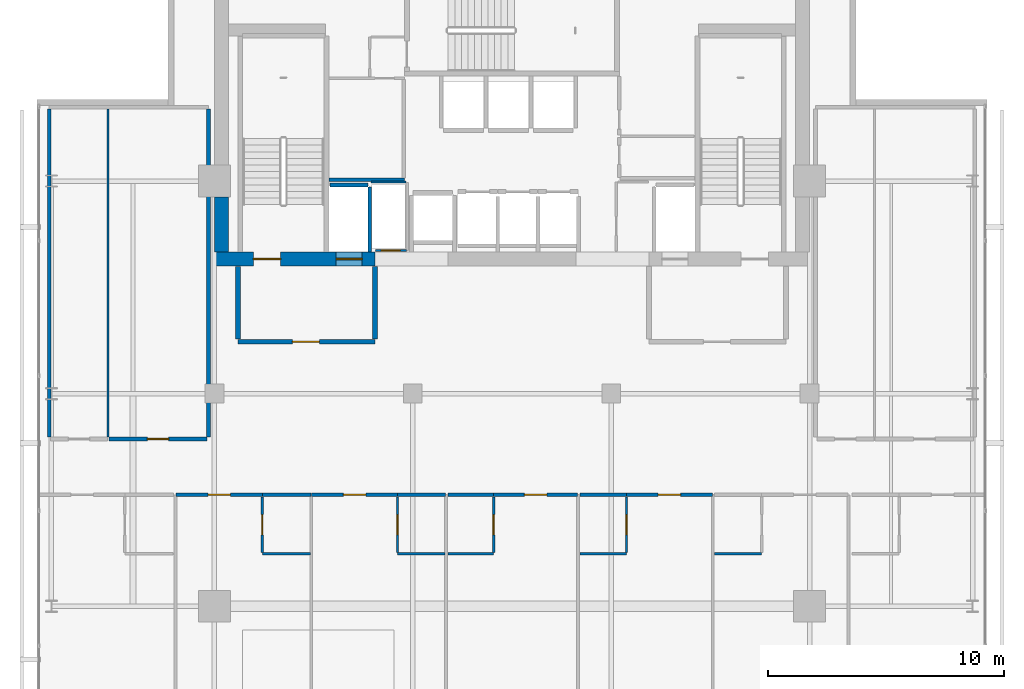
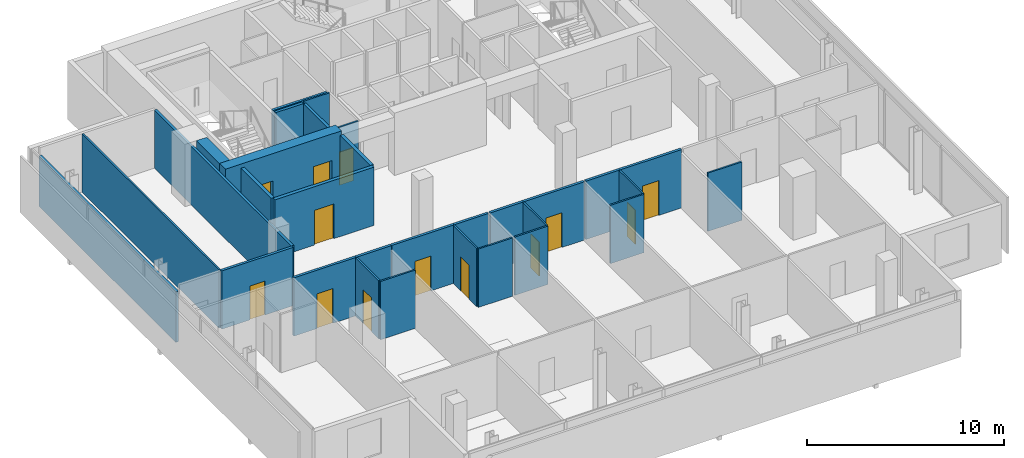
# One storey, part 17 of 24: 31 walls, 13 doors, 13 openings.
"""IFC4 building model written with IfcOpenShell, lengths in metres."""

from ifc_helpers import new_model, si_unit, direction, frame, frame_2d, origin, place, context, subcontext, project, spatial, rectangle, extrude, material, layer, layer_set, type_object, element, fill, save


model = new_model("IFC4")

# Units and contexts
model_context = context("Model", 3, precision=1e-05, world=origin(), true_north=direction((0.0, 1.0)))
body_context = subcontext(model_context, "Body", "Model", "MODEL_VIEW")
ifc_project = project(units=[si_unit("LENGTHUNIT", "METRE"), si_unit("AREAUNIT", "SQUARE_METRE"), si_unit("VOLUMEUNIT", "CUBIC_METRE"), si_unit("PLANEANGLEUNIT", "RADIAN"), si_unit("MASSUNIT", "GRAM", prefix="KILO")], contexts=[model_context])

# Site, building, storey
site_placement = place(None, origin())
site = spatial("IfcSite", under=ifc_project, at=site_placement, CompositionType="ELEMENT")
building_placement = place(site_placement, origin())
building = spatial("IfcBuilding", under=site, at=building_placement, Name="Maruvema Waterfront Hotel and Observation Tower", CompositionType="ELEMENT")
storey_placement = place(building_placement, frame((0.0, 0.0, 333.550048828125)))
storey = spatial("IfcBuildingStorey", under=building, at=storey_placement, Name="L82", CompositionType="ELEMENT", Elevation=333.550048828125)

# Walls
ifc_material_1 = material(Name="Twin-stud acoustic gypsum drywall", Category="gypsum")
ifc_layer_1 = layer(ifc_material_1, 0.14990234375, Name="Acoustic Corridor and Suite Demising Wall 150 mm")
ifc_layer_set_1 = layer_set([ifc_layer_1], Name="Twin-stud acoustic gypsum drywall")
wall_type_1 = type_object("IfcWallType", Name="Acoustic Corridor and Suite Demising Wall 150 mm", PredefinedType="PARTITIONING", material=ifc_layer_set_1)
wall_1_placement = place(storey_placement, frame((30.06005859375, 45.06005859375, 0.0), z_axis=(0.0, 0.0, 1.0), x_axis=(1.0, 0.0, 0.0)))
element("IfcWall", 1, at=wall_1_placement, inside=storey, type_object=wall_type_1, Name="L82 Freed B1 South Wall 012", PredefinedType="PARTITIONING", context=body_context, shape_type="SweptSolid", body=[
    extrude(rectangle(XDim=3.179931640625, YDim=0.14990234375, at=frame_2d((1.58984375, 0.0))), origin(), (0.0, 0.0, 1.0), 3.60986328125),
])
wall_2_placement = place(storey_placement, frame((18.199951171875, 34.159912109375, 0.0), z_axis=(0.0, 0.0, 1.0), x_axis=(0.0, 1.0, 0.0)))
element("IfcWall", 2, at=wall_2_placement, inside=storey, type_object=wall_type_1, Name="L82 L82-Z4W West Wall 022", PredefinedType="PARTITIONING", context=body_context, shape_type="SweptSolid", body=[
    extrude(rectangle(XDim=13.885009765625, YDim=0.14990234375, at=frame_2d((6.9423828125, 0.0))), origin(), (0.0, 0.0, 1.0), 3.140869140625),
])
wall_3_placement = place(storey_placement, frame((24.949951171875, 34.159912109375, 0.0), z_axis=(0.0, 0.0, 1.0), x_axis=(0.0, 1.0, 0.0)))
element("IfcWall", 3, at=wall_3_placement, inside=storey, type_object=wall_type_1, Name="L82 L82-Z4W East Wall 023", PredefinedType="PARTITIONING", context=body_context, shape_type="SweptSolid", body=[
    extrude(rectangle(XDim=13.885009765625, YDim=0.14990234375, at=frame_2d((6.9423828125, 0.0))), origin(), (0.0, 0.0, 1.0), 3.60986328125),
])

# Wall, opening, door
wall_4_placement = place(storey_placement, frame((20.7275390625, 34.080078125, 0.0), z_axis=(0.0, 0.0, 1.0), x_axis=(1.0, 0.0, 0.0)))
wall_4 = element("IfcWall", 4, at=wall_4_placement, inside=storey, type_object=wall_type_1, Name="L82 L82-Z4W Front 2 026", PredefinedType="PARTITIONING", context=body_context, shape_type="SweptSolid", body=[
    extrude(rectangle(XDim=4.162353515625, YDim=0.14990234375, at=frame_2d((2.0810546875, 0.0))), origin(), (0.0, 0.0, 1.0), 3.60986328125),
])
opening_1_placement = place(wall_4_placement, frame((1.63134765625, 0.0, 0.0)))
opening_1 = element("IfcOpeningElement", 5, at=opening_1_placement, cuts=wall_4, Name="Opening DR-090", PredefinedType="OPENING", context=body_context, shape_type="SweptSolid", body=[
    extrude(rectangle(XDim=0.89990234375, YDim=2.10009765625, at=frame_2d((0.449951171875, 1.050048828125))), frame((0.0, 0.0849609375, 0.0), z_axis=(0.0, -1.0, 0.0), x_axis=(1.0, 0.0, 0.0)), (0.0, 0.0, 1.0), 0.169921875),
])
ifc_material_2 = material(Name="Solid-core lacquered timber leaf", Category="wood")
door_type_1 = type_object("IfcDoorType", Name="Accessible Toilet and Room Door 900x2100 mm", OperationType="NOTDEFINED", PredefinedType="DOOR", material=ifc_material_2)
door_1_placement = place(opening_1_placement, frame((0.89990234375, 0.0, 0.0), z_axis=(0.0, 0.0, 1.0), x_axis=(-1.0, 0.0, 0.0)))
door_1 = element("IfcDoor", 6, at=door_1_placement, inside=storey, type_object=door_type_1, Name="L82 Sky Concierge Office Door", OperationType="SINGLE_SWING_LEFT", OverallHeight=2.10009765625, OverallWidth=0.89990234375, PredefinedType="DOOR", context=body_context, shape_type="SweptSolid", body=[
    extrude(rectangle(XDim=0.89990234375, YDim=2.10009765625, at=frame_2d((0.449951171875, 1.050048828125))), frame((0.0, 0.02490234375, 0.0), z_axis=(0.0, -1.0, 0.0), x_axis=(1.0, 0.0, 0.0)), (0.0, 0.0, 1.0), 0.050048828125),
])
fill(opening_1, door_1)

# Wall
wall_5_placement = place(storey_placement, frame((27.22998046875, 31.719970703125, 0.0), z_axis=(0.0, 0.0, 1.0), x_axis=(1.0, 0.0, 0.0)))
element("IfcWall", 7, at=wall_5_placement, inside=storey, type_object=wall_type_1, Name="L82 Bath L82-SK1 Back Wall 035", PredefinedType="PARTITIONING", context=body_context, shape_type="SweptSolid", body=[
    extrude(rectangle(XDim=2.050048828125, YDim=0.14990234375, at=frame_2d((1.02490234375, 0.0))), origin(), (0.0, 0.0, 1.0), 3.60986328125),
])

# Wall, opening, door
wall_6_placement = place(storey_placement, frame((23.58251953125, 31.719970703125, 0.0), z_axis=(0.0, 0.0, 1.0), x_axis=(1.0, 0.0, 0.0)))
wall_6 = element("IfcWall", 8, at=wall_6_placement, inside=storey, type_object=wall_type_1, Name="L82 Unit L82-SK1 Corridor Wall 038", PredefinedType="PARTITIONING", context=body_context, shape_type="SweptSolid", body=[
    extrude(rectangle(XDim=3.6474609375, YDim=0.14990234375, at=frame_2d((1.82373046875, 0.0))), origin(), (0.0, 0.0, 1.0), 3.60986328125),
])
opening_2_placement = place(wall_6_placement, frame((1.348876953125, 0.0, 0.0)))
opening_2 = element("IfcOpeningElement", 9, at=opening_2_placement, cuts=wall_6, Name="Opening DR-095", PredefinedType="OPENING", context=body_context, shape_type="SweptSolid", body=[
    extrude(rectangle(XDim=0.949951171875, YDim=2.14990234375, at=frame_2d((0.47509765625, 1.074951171875))), frame((0.0, 0.0849609375, 0.0), z_axis=(0.0, -1.0, 0.0), x_axis=(1.0, 0.0, 0.0)), (0.0, 0.0, 1.0), 0.169921875),
])
ifc_material_3 = material(Name="Acoustic solid-core hardwood timber leaf", Category="wood")
door_type_2 = type_object("IfcDoorType", Name="Guestroom Entrance Fire Door 950x2150 mm", OperationType="NOTDEFINED", PredefinedType="DOOR", material=ifc_material_3)
door_2_placement = place(opening_2_placement, frame((0.949951171875, 0.0, 0.0), z_axis=(0.0, 0.0, 1.0), x_axis=(-1.0, 0.0, 0.0)))
door_2 = element("IfcDoor", 10, at=door_2_placement, inside=storey, type_object=door_type_2, Name="L82 Unit L82-SK1 Entrance Door", OperationType="SINGLE_SWING_LEFT", OverallHeight=2.14990234375, OverallWidth=0.949951171875, PredefinedType="DOOR", context=body_context, shape_type="SweptSolid", body=[
    extrude(rectangle(XDim=0.949951171875, YDim=2.14990234375, at=frame_2d((0.47509765625, 1.074951171875))), frame((0.0, 0.02490234375, 0.0), z_axis=(0.0, -1.0, 0.0), x_axis=(1.0, 0.0, 0.0)), (0.0, 0.0, 1.0), 0.050048828125),
])
fill(opening_2, door_2)

# Wall
wall_7_placement = place(storey_placement, frame((32.949951171875, 31.719970703125, 0.0), z_axis=(0.0, 0.0, 1.0), x_axis=(1.0, 0.0, 0.0)))
element("IfcWall", 11, at=wall_7_placement, inside=storey, type_object=wall_type_1, Name="L82 Bath L82-SK2 Back Wall 041", PredefinedType="PARTITIONING", context=body_context, shape_type="SweptSolid", body=[
    extrude(rectangle(XDim=2.030029296875, YDim=0.14990234375, at=frame_2d((1.01513671875, 0.0))), origin(), (0.0, 0.0, 1.0), 3.60986328125),
])

# Wall, opening, door
wall_8_placement = place(storey_placement, frame((29.320068359375, 31.719970703125, 0.0), z_axis=(0.0, 0.0, 1.0), x_axis=(1.0, 0.0, 0.0)))
wall_8 = element("IfcWall", 12, at=wall_8_placement, inside=storey, type_object=wall_type_1, Name="L82 Unit L82-SK2 Corridor Wall 044", PredefinedType="PARTITIONING", context=body_context, shape_type="SweptSolid", body=[
    extrude(rectangle(XDim=3.6298828125, YDim=0.14990234375, at=frame_2d((1.81494140625, 0.0))), origin(), (0.0, 0.0, 1.0), 3.60986328125),
])
opening_3_placement = place(wall_8_placement, frame((1.340087890625, 0.0, 0.0)))
opening_3 = element("IfcOpeningElement", 13, at=opening_3_placement, cuts=wall_8, Name="Opening DR-095", PredefinedType="OPENING", context=body_context, shape_type="SweptSolid", body=[
    extrude(rectangle(XDim=0.949951171875, YDim=2.14990234375, at=frame_2d((0.47509765625, 1.074951171875))), frame((0.0, 0.0849609375, 0.0), z_axis=(0.0, -1.0, 0.0), x_axis=(1.0, 0.0, 0.0)), (0.0, 0.0, 1.0), 0.169921875),
])
door_3_placement = place(opening_3_placement, frame((0.949951171875, 0.0, 0.0), z_axis=(0.0, 0.0, 1.0), x_axis=(-1.0, 0.0, 0.0)))
door_3 = element("IfcDoor", 14, at=door_3_placement, inside=storey, type_object=door_type_2, Name="L82 Unit L82-SK2 Entrance Door", OperationType="SINGLE_SWING_RIGHT", OverallHeight=2.14990234375, OverallWidth=0.949951171875, PredefinedType="DOOR", context=body_context, shape_type="SweptSolid", body=[
    extrude(rectangle(XDim=0.949951171875, YDim=2.14990234375, at=frame_2d((0.47509765625, 1.074951171875))), frame((0.0, 0.02490234375, 0.0), z_axis=(0.0, -1.0, 0.0), x_axis=(1.0, 0.0, 0.0)), (0.0, 0.0, 1.0), 0.050048828125),
])
fill(opening_3, door_3)

# Wall
wall_9_placement = place(storey_placement, frame((35.080078125, 31.719970703125, 0.0), z_axis=(0.0, 0.0, 1.0), x_axis=(1.0, 0.0, 0.0)))
element("IfcWall", 15, at=wall_9_placement, inside=storey, type_object=wall_type_1, Name="L82 Bath L82-SK3 Back Wall 047", PredefinedType="PARTITIONING", context=body_context, shape_type="SweptSolid", body=[
    extrude(rectangle(XDim=1.93994140625, YDim=0.14990234375, at=frame_2d((0.969970703125, 0.0))), origin(), (0.0, 0.0, 1.0), 3.60986328125),
])

# Wall, opening, door
wall_10_placement = place(storey_placement, frame((37.02001953125, 31.719970703125, 0.0), z_axis=(0.0, 0.0, 1.0), x_axis=(1.0, 0.0, 0.0)))
wall_10 = element("IfcWall", 16, at=wall_10_placement, inside=storey, type_object=wall_type_1, Name="L82 Unit L82-SK3 Corridor Wall 050", PredefinedType="PARTITIONING", context=body_context, shape_type="SweptSolid", body=[
    extrude(rectangle(XDim=3.56005859375, YDim=0.14990234375, at=frame_2d((1.780029296875, 0.0))), origin(), (0.0, 0.0, 1.0), 3.60986328125),
])
opening_4_placement = place(wall_10_placement, frame((1.304931640625, 0.0, 0.0)))
opening_4 = element("IfcOpeningElement", 17, at=opening_4_placement, cuts=wall_10, Name="Opening DR-095", PredefinedType="OPENING", context=body_context, shape_type="SweptSolid", body=[
    extrude(rectangle(XDim=0.949951171875, YDim=2.14990234375, at=frame_2d((0.47509765625, 1.074951171875))), frame((0.0, 0.0849609375, 0.0), z_axis=(0.0, -1.0, 0.0), x_axis=(1.0, 0.0, 0.0)), (0.0, 0.0, 1.0), 0.169921875),
])
door_4_placement = place(opening_4_placement, frame((0.949951171875, 0.0, 0.0), z_axis=(0.0, 0.0, 1.0), x_axis=(-1.0, 0.0, 0.0)))
door_4 = element("IfcDoor", 18, at=door_4_placement, inside=storey, type_object=door_type_2, Name="L82 Unit L82-SK3 Entrance Door", OperationType="SINGLE_SWING_LEFT", OverallHeight=2.14990234375, OverallWidth=0.949951171875, PredefinedType="DOOR", context=body_context, shape_type="SweptSolid", body=[
    extrude(rectangle(XDim=0.949951171875, YDim=2.14990234375, at=frame_2d((0.47509765625, 1.074951171875))), frame((0.0, 0.02490234375, 0.0), z_axis=(0.0, -1.0, 0.0), x_axis=(1.0, 0.0, 0.0)), (0.0, 0.0, 1.0), 0.050048828125),
])
fill(opening_4, door_4)

# Wall
wall_11_placement = place(storey_placement, frame((40.679931640625, 31.719970703125, 0.0), z_axis=(0.0, 0.0, 1.0), x_axis=(1.0, 0.0, 0.0)))
element("IfcWall", 19, at=wall_11_placement, inside=storey, type_object=wall_type_1, Name="L82 Bath L82-SK4 Back Wall 053", PredefinedType="PARTITIONING", context=body_context, shape_type="SweptSolid", body=[
    extrude(rectangle(XDim=1.969970703125, YDim=0.14990234375, at=frame_2d((0.98486328125, 0.0))), origin(), (0.0, 0.0, 1.0), 3.60986328125),
])

# Wall, opening, door
wall_12_placement = place(storey_placement, frame((42.64990234375, 31.719970703125, 0.0), z_axis=(0.0, 0.0, 1.0), x_axis=(1.0, 0.0, 0.0)))
wall_12 = element("IfcWall", 20, at=wall_12_placement, inside=storey, type_object=wall_type_1, Name="L82 Unit L82-SK4 Corridor Wall 056", PredefinedType="PARTITIONING", context=body_context, shape_type="SweptSolid", body=[
    extrude(rectangle(XDim=3.630126953125, YDim=0.14990234375, at=frame_2d((1.81494140625, 0.0))), origin(), (0.0, 0.0, 1.0), 3.60986328125),
])
opening_5_placement = place(wall_12_placement, frame((1.340087890625, 0.0, 0.0)))
opening_5 = element("IfcOpeningElement", 21, at=opening_5_placement, cuts=wall_12, Name="Opening DR-095", PredefinedType="OPENING", context=body_context, shape_type="SweptSolid", body=[
    extrude(rectangle(XDim=0.949951171875, YDim=2.14990234375, at=frame_2d((0.47509765625, 1.074951171875))), frame((0.0, 0.0849609375, 0.0), z_axis=(0.0, -1.0, 0.0), x_axis=(1.0, 0.0, 0.0)), (0.0, 0.0, 1.0), 0.169921875),
])
door_5_placement = place(opening_5_placement, frame((0.949951171875, 0.0, 0.0), z_axis=(0.0, 0.0, 1.0), x_axis=(-1.0, 0.0, 0.0)))
door_5 = element("IfcDoor", 22, at=door_5_placement, inside=storey, type_object=door_type_2, Name="L82 Unit L82-SK4 Entrance Door", OperationType="SINGLE_SWING_RIGHT", OverallHeight=2.14990234375, OverallWidth=0.949951171875, PredefinedType="DOOR", context=body_context, shape_type="SweptSolid", body=[
    extrude(rectangle(XDim=0.949951171875, YDim=2.14990234375, at=frame_2d((0.47509765625, 1.074951171875))), frame((0.0, 0.02490234375, 0.0), z_axis=(0.0, -1.0, 0.0), x_axis=(1.0, 0.0, 0.0)), (0.0, 0.0, 1.0), 0.050048828125),
])
fill(opening_5, door_5)

# Wall, openings, doors
ifc_material_4 = material(Name="Concrete C60/75", Category="concrete")
ifc_layer_2 = layer(ifc_material_4, 0.60009765625, Name="Core Shear Wall 600 mm")
ifc_layer_set_2 = layer_set([ifc_layer_2], Name="Concrete C60/75")
wall_type_2 = type_object("IfcWallType", Name="Core Shear Wall 600 mm", PredefinedType="SHEAR", material=ifc_layer_set_2)
wall_13_placement = place(storey_placement, frame((25.199951171875, 41.699951171875, 0.0), z_axis=(0.0, 0.0, 1.0), x_axis=(1.0, 0.0, 0.0)))
wall_13 = element("IfcWall", 23, at=wall_13_placement, inside=storey, type_object=wall_type_2, Name="L82 South-West Core Shear Wall", PredefinedType="SHEAR", context=body_context, shape_type="SweptSolid", body=[
    extrude(rectangle(XDim=6.800048828125, YDim=0.60009765625, at=frame_2d((3.39990234375, 0.0))), origin(), (0.0, 0.0, 1.0), 3.849853515625),
])
opening_6_placement = place(wall_13_placement, frame((1.64990234375, 0.0, 0.0)))
opening_6 = element("IfcOpeningElement", 24, at=opening_6_placement, cuts=wall_13, Name="Opening SD-01", PredefinedType="OPENING", context=body_context, shape_type="SweptSolid", body=[
    extrude(rectangle(XDim=1.14990234375, YDim=2.14990234375, at=frame_2d((0.574951171875, 1.074951171875))), frame((0.0, 0.31005859375, 0.0), z_axis=(0.0, -1.0, 0.0), x_axis=(1.0, 0.0, 0.0)), (0.0, 0.0, 1.0), 0.6201171875),
])
opening_7_placement = place(wall_13_placement, frame((5.14990234375, 0.0, 0.0)))
opening_7 = element("IfcOpeningElement", 25, at=opening_7_placement, cuts=wall_13, Name="Opening LD-03", PredefinedType="OPENING", context=body_context, shape_type="SweptSolid", body=[
    extrude(rectangle(XDim=1.10009765625, YDim=2.199951171875, at=frame_2d((0.550048828125, 1.10009765625))), frame((0.0, 0.31005859375, 0.0), z_axis=(0.0, -1.0, 0.0), x_axis=(1.0, 0.0, 0.0)), (0.0, 0.0, 1.0), 0.6201171875),
])
ifc_material_5 = material(Name="Fire-rated galvanised steel leaf", Category="steel")
door_type_3 = type_object("IfcDoorType", Name="Exit Stair Fire Door 1150x2150 mm", OperationType="NOTDEFINED", PredefinedType="DOOR", material=ifc_material_5)
door_6_placement = place(opening_6_placement, origin())
door_6 = element("IfcDoor", 26, at=door_6_placement, inside=storey, type_object=door_type_3, Name="L82 Exit Stair ST-01 Fire Door", OperationType="SINGLE_SWING_LEFT", OverallHeight=2.14990234375, OverallWidth=1.14990234375, PredefinedType="DOOR", context=body_context, shape_type="SweptSolid", body=[
    extrude(rectangle(XDim=1.14990234375, YDim=2.14990234375, at=frame_2d((0.574951171875, 1.074951171875))), frame((0.0, 0.02490234375, 0.0), z_axis=(0.0, -1.0, 0.0), x_axis=(1.0, 0.0, 0.0)), (0.0, 0.0, 1.0), 0.050048828125),
])
fill(opening_6, door_6)
ifc_material_6 = material(Name="Brushed stainless steel Grade 316", Category="steel")
door_type_4 = type_object("IfcDoorType", Name="Firefighting Lift Sliding Landing Door 1100x2200 mm", OperationType="SLIDING_TO_LEFT", PredefinedType="DOOR", material=ifc_material_6)
door_7_placement = place(opening_7_placement, frame((1.10009765625, 0.0, 0.0), z_axis=(0.0, 0.0, 1.0), x_axis=(-1.0, 0.0, 0.0)))
door_7 = element("IfcDoor", 27, at=door_7_placement, inside=storey, type_object=door_type_4, Name="L82 Firefighting Lift FL-01 Landing Door", OperationType="SLIDING_TO_LEFT", OverallHeight=2.199951171875, OverallWidth=1.10009765625, PredefinedType="DOOR", context=body_context, shape_type="SweptSolid", body=[
    extrude(rectangle(XDim=1.10009765625, YDim=2.199951171875, at=frame_2d((0.550048828125, 1.10009765625))), frame((0.0, 0.02490234375, 0.0), z_axis=(0.0, -1.0, 0.0), x_axis=(1.0, 0.0, 0.0)), (0.0, 0.0, 1.0), 0.050048828125),
])
fill(opening_7, door_7)

# Wall
wall_14_placement = place(storey_placement, frame((25.5, 42.0, 0.0), z_axis=(0.0, 0.0, 1.0), x_axis=(0.0, 1.0, 0.0)))
element("IfcWall", 28, at=wall_14_placement, inside=storey, type_object=wall_type_2, Name="L82 West-South Core Shear Wall", PredefinedType="SHEAR", context=body_context, shape_type="SweptSolid", body=[
    extrude(rectangle(XDim=2.324951171875, YDim=0.60009765625, at=frame_2d((1.16259765625, 0.0))), origin(), (0.0, 0.0, 1.0), 3.849853515625),
])

# Wall, opening, door
ifc_material_7 = material(Name="Moisture-resistant cement-board drywall", Category="gypsum")
ifc_layer_3 = layer(ifc_material_7, 0.10009765625, Name="En-Suite Moisture-Resistant Partition 100 mm")
ifc_layer_set_3 = layer_set([ifc_layer_3], Name="Moisture-resistant cement-board drywall")
wall_type_3 = type_object("IfcWallType", Name="En-Suite Moisture-Resistant Partition 100 mm", PredefinedType="PARTITIONING", material=ifc_layer_set_3)
wall_15_placement = place(storey_placement, frame((32.02001953125, 42.06005859375, 0.0), z_axis=(0.0, 0.0, 1.0), x_axis=(1.0, 0.0, 0.0)))
wall_15 = element("IfcWall", 29, at=wall_15_placement, inside=storey, type_object=wall_type_3, Name="L82 Telecom Riser South Wall 007", PredefinedType="PARTITIONING", context=body_context, shape_type="SweptSolid", body=[
    extrude(rectangle(XDim=1.320068359375, YDim=0.10009765625, at=frame_2d((0.66015625, 0.0))), origin(), (0.0, 0.0, 1.0), 3.60986328125),
])
opening_8_placement = place(wall_15_placement, frame((0.239990234375, 0.0, 0.0)))
opening_8 = element("IfcOpeningElement", 30, at=opening_8_placement, cuts=wall_15, Name="Opening DR-080", PredefinedType="OPENING", context=body_context, shape_type="SweptSolid", body=[
    extrude(rectangle(XDim=0.800048828125, YDim=2.050048828125, at=frame_2d((0.39990234375, 1.02490234375))), frame((0.0, 0.06005859375, 0.0), z_axis=(0.0, -1.0, 0.0), x_axis=(1.0, 0.0, 0.0)), (0.0, 0.0, 1.0), 0.1201171875),
])
ifc_material_8 = material(Name="Powder-coated steel access leaf", Category="steel")
door_type_5 = type_object("IfcDoorType", Name="Riser and Service Cupboard Door 800x2050 mm", OperationType="NOTDEFINED", PredefinedType="DOOR", material=ifc_material_8)
door_8_placement = place(opening_8_placement, frame((0.800048828125, 0.0, 0.0), z_axis=(0.0, 0.0, 1.0), x_axis=(-1.0, 0.0, 0.0)))
door_8 = element("IfcDoor", 31, at=door_8_placement, inside=storey, type_object=door_type_5, Name="L82 Telecom Riser Door", OperationType="SINGLE_SWING_RIGHT", OverallHeight=2.050048828125, OverallWidth=0.800048828125, PredefinedType="DOOR", context=body_context, shape_type="SweptSolid", body=[
    extrude(rectangle(XDim=0.800048828125, YDim=2.050048828125, at=frame_2d((0.39990234375, 1.02490234375))), frame((0.0, 0.02490234375, 0.0), z_axis=(0.0, -1.0, 0.0), x_axis=(1.0, 0.0, 0.0)), (0.0, 0.0, 1.0), 0.050048828125),
])
fill(opening_8, door_8)

# Walls
wall_16_placement = place(storey_placement, frame((31.840087890625, 44.9599609375, 0.0), z_axis=(0.0, 0.0, 1.0), x_axis=(1.0, 0.0, 0.0)))
element("IfcWall", 32, at=wall_16_placement, inside=storey, type_object=wall_type_3, Name="L82 Telecom Riser North Wall 008", PredefinedType="PARTITIONING", context=body_context, shape_type="SweptSolid", body=[
    extrude(rectangle(XDim=1.47998046875, YDim=0.10009765625, at=frame_2d((0.739990234375, 0.0))), origin(), (0.0, 0.0, 1.0), 3.60986328125),
])
wall_17_placement = place(storey_placement, frame((20.697509765625, 34.159912109375, 0.0), z_axis=(0.0, 0.0, 1.0), x_axis=(0.0, 1.0, 0.0)))
element("IfcWall", 33, at=wall_17_placement, inside=storey, type_object=wall_type_3, Name="L82 L82-Z4W Split 1 025", PredefinedType="PARTITIONING", context=body_context, shape_type="SweptSolid", body=[
    extrude(rectangle(XDim=13.885009765625, YDim=0.10009765625, at=frame_2d((6.9423828125, 0.0))), origin(), (0.0, 0.0, 1.0), 3.60986328125),
])
wall_18_placement = place(storey_placement, frame((27.22998046875, 29.219970703125, 0.0), z_axis=(0.0, 0.0, 1.0), x_axis=(1.0, 0.0, 0.0)))
element("IfcWall", 34, at=wall_18_placement, inside=storey, type_object=wall_type_3, Name="L82 En-Suite L82-SK1 South 036", PredefinedType="PARTITIONING", context=body_context, shape_type="SweptSolid", body=[
    extrude(rectangle(XDim=2.030029296875, YDim=0.10009765625, at=frame_2d((1.01513671875, 0.0))), origin(), (0.0, 0.0, 1.0), 3.60986328125),
])

# Wall, opening, door
wall_19_placement = place(storey_placement, frame((27.22998046875, 29.280029296875, 0.0), z_axis=(0.0, 0.0, 1.0), x_axis=(0.0, 1.0, 0.0)))
wall_19 = element("IfcWall", 35, at=wall_19_placement, inside=storey, type_object=wall_type_3, Name="L82 En-Suite L82-SK1 West 037", PredefinedType="PARTITIONING", context=body_context, shape_type="SweptSolid", body=[
    extrude(rectangle(XDim=2.340087890625, YDim=0.10009765625, at=frame_2d((1.169921875, 0.0))), origin(), (0.0, 0.0, 1.0), 3.60986328125),
])
opening_9_placement = place(wall_19_placement, frame((0.7451171875, 0.0, 0.0)))
opening_9 = element("IfcOpeningElement", 36, at=opening_9_placement, cuts=wall_19, Name="Opening DR-085", PredefinedType="OPENING", context=body_context, shape_type="SweptSolid", body=[
    extrude(rectangle(XDim=0.85009765625, YDim=2.10009765625, at=frame_2d((0.425048828125, 1.050048828125))), frame((0.0, 0.06005859375, 0.0), z_axis=(0.0, -1.0, 0.0), x_axis=(1.0, 0.0, 0.0)), (0.0, 0.0, 1.0), 0.1201171875),
])
ifc_material_9 = material(Name="Moisture-resistant solid timber leaf", Category="wood")
door_type_6 = type_object("IfcDoorType", Name="En-Suite Bathroom Door 850x2100 mm", OperationType="NOTDEFINED", PredefinedType="DOOR", material=ifc_material_9)
door_9_placement = place(opening_9_placement, origin())
door_9 = element("IfcDoor", 37, at=door_9_placement, inside=storey, type_object=door_type_6, Name="L82 En-Suite L82-SK1 Door", OperationType="SINGLE_SWING_RIGHT", OverallHeight=2.10009765625, OverallWidth=0.85009765625, PredefinedType="DOOR", context=body_context, shape_type="SweptSolid", body=[
    extrude(rectangle(XDim=0.85009765625, YDim=2.10009765625, at=frame_2d((0.425048828125, 1.050048828125))), frame((0.0, 0.02490234375, 0.0), z_axis=(0.0, -1.0, 0.0), x_axis=(1.0, 0.0, 0.0)), (0.0, 0.0, 1.0), 0.050048828125),
])
fill(opening_9, door_9)

# Wall
wall_20_placement = place(storey_placement, frame((32.949951171875, 29.219970703125, 0.0), z_axis=(0.0, 0.0, 1.0), x_axis=(1.0, 0.0, 0.0)))
element("IfcWall", 38, at=wall_20_placement, inside=storey, type_object=wall_type_3, Name="L82 En-Suite L82-SK2 South 042", PredefinedType="PARTITIONING", context=body_context, shape_type="SweptSolid", body=[
    extrude(rectangle(XDim=2.010009765625, YDim=0.10009765625, at=frame_2d((1.0048828125, 0.0))), origin(), (0.0, 0.0, 1.0), 3.60986328125),
])

# Wall, opening, door
wall_21_placement = place(storey_placement, frame((32.949951171875, 29.280029296875, 0.0), z_axis=(0.0, 0.0, 1.0), x_axis=(0.0, 1.0, 0.0)))
wall_21 = element("IfcWall", 39, at=wall_21_placement, inside=storey, type_object=wall_type_3, Name="L82 En-Suite L82-SK2 West 043", PredefinedType="PARTITIONING", context=body_context, shape_type="SweptSolid", body=[
    extrude(rectangle(XDim=2.340087890625, YDim=0.10009765625, at=frame_2d((1.169921875, 0.0))), origin(), (0.0, 0.0, 1.0), 3.60986328125),
])
opening_10_placement = place(wall_21_placement, frame((0.7451171875, 0.0, 0.0)))
opening_10 = element("IfcOpeningElement", 40, at=opening_10_placement, cuts=wall_21, Name="Opening DR-085", PredefinedType="OPENING", context=body_context, shape_type="SweptSolid", body=[
    extrude(rectangle(XDim=0.85009765625, YDim=2.10009765625, at=frame_2d((0.425048828125, 1.050048828125))), frame((0.0, 0.06005859375, 0.0), z_axis=(0.0, -1.0, 0.0), x_axis=(1.0, 0.0, 0.0)), (0.0, 0.0, 1.0), 0.1201171875),
])
door_10_placement = place(opening_10_placement, origin())
door_10 = element("IfcDoor", 41, at=door_10_placement, inside=storey, type_object=door_type_6, Name="L82 En-Suite L82-SK2 Door", OperationType="SINGLE_SWING_LEFT", OverallHeight=2.10009765625, OverallWidth=0.85009765625, PredefinedType="DOOR", context=body_context, shape_type="SweptSolid", body=[
    extrude(rectangle(XDim=0.85009765625, YDim=2.10009765625, at=frame_2d((0.425048828125, 1.050048828125))), frame((0.0, 0.02490234375, 0.0), z_axis=(0.0, -1.0, 0.0), x_axis=(1.0, 0.0, 0.0)), (0.0, 0.0, 1.0), 0.050048828125),
])
fill(opening_10, door_10)

# Wall
wall_22_placement = place(storey_placement, frame((35.080078125, 29.219970703125, 0.0), z_axis=(0.0, 0.0, 1.0), x_axis=(1.0, 0.0, 0.0)))
element("IfcWall", 42, at=wall_22_placement, inside=storey, type_object=wall_type_3, Name="L82 En-Suite L82-SK3 South 048", PredefinedType="PARTITIONING", context=body_context, shape_type="SweptSolid", body=[
    extrude(rectangle(XDim=1.93994140625, YDim=0.10009765625, at=frame_2d((0.969970703125, 0.0))), origin(), (0.0, 0.0, 1.0), 3.60986328125),
])

# Wall, opening, door
wall_23_placement = place(storey_placement, frame((37.02001953125, 29.280029296875, 0.0), z_axis=(0.0, 0.0, 1.0), x_axis=(0.0, 1.0, 0.0)))
wall_23 = element("IfcWall", 43, at=wall_23_placement, inside=storey, type_object=wall_type_3, Name="L82 En-Suite L82-SK3 East 049", PredefinedType="PARTITIONING", context=body_context, shape_type="SweptSolid", body=[
    extrude(rectangle(XDim=2.340087890625, YDim=0.10009765625, at=frame_2d((1.169921875, 0.0))), origin(), (0.0, 0.0, 1.0), 3.60986328125),
])
opening_11_placement = place(wall_23_placement, frame((0.7451171875, 0.0, 0.0)))
opening_11 = element("IfcOpeningElement", 44, at=opening_11_placement, cuts=wall_23, Name="Opening DR-085", PredefinedType="OPENING", context=body_context, shape_type="SweptSolid", body=[
    extrude(rectangle(XDim=0.85009765625, YDim=2.10009765625, at=frame_2d((0.425048828125, 1.050048828125))), frame((0.0, 0.06005859375, 0.0), z_axis=(0.0, -1.0, 0.0), x_axis=(1.0, 0.0, 0.0)), (0.0, 0.0, 1.0), 0.1201171875),
])
door_11_placement = place(opening_11_placement, frame((0.85009765625, 0.0, 0.0), z_axis=(0.0, 0.0, 1.0), x_axis=(-1.0, 0.0, 0.0)))
door_11 = element("IfcDoor", 45, at=door_11_placement, inside=storey, type_object=door_type_6, Name="L82 En-Suite L82-SK3 Door", OperationType="SINGLE_SWING_RIGHT", OverallHeight=2.10009765625, OverallWidth=0.85009765625, PredefinedType="DOOR", context=body_context, shape_type="SweptSolid", body=[
    extrude(rectangle(XDim=0.85009765625, YDim=2.10009765625, at=frame_2d((0.425048828125, 1.050048828125))), frame((0.0, 0.02490234375, 0.0), z_axis=(0.0, -1.0, 0.0), x_axis=(1.0, 0.0, 0.0)), (0.0, 0.0, 1.0), 0.050048828125),
])
fill(opening_11, door_11)

# Wall
wall_24_placement = place(storey_placement, frame((40.679931640625, 29.219970703125, 0.0), z_axis=(0.0, 0.0, 1.0), x_axis=(1.0, 0.0, 0.0)))
element("IfcWall", 46, at=wall_24_placement, inside=storey, type_object=wall_type_3, Name="L82 En-Suite L82-SK4 South 054", PredefinedType="PARTITIONING", context=body_context, shape_type="SweptSolid", body=[
    extrude(rectangle(XDim=1.969970703125, YDim=0.10009765625, at=frame_2d((0.98486328125, 0.0))), origin(), (0.0, 0.0, 1.0), 3.60986328125),
])

# Wall, opening, door
wall_25_placement = place(storey_placement, frame((42.64990234375, 29.280029296875, 0.0), z_axis=(0.0, 0.0, 1.0), x_axis=(0.0, 1.0, 0.0)))
wall_25 = element("IfcWall", 47, at=wall_25_placement, inside=storey, type_object=wall_type_3, Name="L82 En-Suite L82-SK4 East 055", PredefinedType="PARTITIONING", context=body_context, shape_type="SweptSolid", body=[
    extrude(rectangle(XDim=2.340087890625, YDim=0.10009765625, at=frame_2d((1.169921875, 0.0))), origin(), (0.0, 0.0, 1.0), 3.60986328125),
])
opening_12_placement = place(wall_25_placement, frame((0.7451171875, 0.0, 0.0)))
opening_12 = element("IfcOpeningElement", 48, at=opening_12_placement, cuts=wall_25, Name="Opening DR-085", PredefinedType="OPENING", context=body_context, shape_type="SweptSolid", body=[
    extrude(rectangle(XDim=0.85009765625, YDim=2.10009765625, at=frame_2d((0.425048828125, 1.050048828125))), frame((0.0, 0.06005859375, 0.0), z_axis=(0.0, -1.0, 0.0), x_axis=(1.0, 0.0, 0.0)), (0.0, 0.0, 1.0), 0.1201171875),
])
door_12_placement = place(opening_12_placement, frame((0.85009765625, 0.0, 0.0), z_axis=(0.0, 0.0, 1.0), x_axis=(-1.0, 0.0, 0.0)))
door_12 = element("IfcDoor", 49, at=door_12_placement, inside=storey, type_object=door_type_6, Name="L82 En-Suite L82-SK4 Door", OperationType="SINGLE_SWING_LEFT", OverallHeight=2.10009765625, OverallWidth=0.85009765625, PredefinedType="DOOR", context=body_context, shape_type="SweptSolid", body=[
    extrude(rectangle(XDim=0.85009765625, YDim=2.10009765625, at=frame_2d((0.425048828125, 1.050048828125))), frame((0.0, 0.02490234375, 0.0), z_axis=(0.0, -1.0, 0.0), x_axis=(1.0, 0.0, 0.0)), (0.0, 0.0, 1.0), 0.050048828125),
])
fill(opening_12, door_12)

# Wall
wall_26_placement = place(storey_placement, frame((46.3798828125, 29.219970703125, 0.0), z_axis=(0.0, 0.0, 1.0), x_axis=(1.0, 0.0, 0.0)))
element("IfcWall", 50, at=wall_26_placement, inside=storey, type_object=wall_type_3, Name="L82 En-Suite L82-SK5 South 060", PredefinedType="PARTITIONING", context=body_context, shape_type="SweptSolid", body=[
    extrude(rectangle(XDim=1.990234375, YDim=0.10009765625, at=frame_2d((0.9951171875, 0.0))), origin(), (0.0, 0.0, 1.0), 3.60986328125),
])

# Wall, opening, door
ifc_material_10 = material(Name="Autoclaved cellular concrete blockwork", Category="masonry")
ifc_layer_4 = layer(ifc_material_10, 0.199951171875, Name="Fire Compartment Masonry Wall 200 mm")
ifc_layer_set_4 = layer_set([ifc_layer_4], Name="Autoclaved cellular concrete blockwork")
wall_type_4 = type_object("IfcWallType", Name="Fire Compartment Masonry Wall 200 mm", PredefinedType="PARTITIONING", material=ifc_layer_set_4)
wall_27_placement = place(storey_placement, frame((26.199951171875, 38.199951171875, 0.0), z_axis=(0.0, 0.0, 1.0), x_axis=(1.0, 0.0, 0.0)))
wall_27 = element("IfcWall", 51, at=wall_27_placement, inside=storey, type_object=wall_type_4, Name="L82 FFL West South Wall 001", PredefinedType="PARTITIONING", context=body_context, shape_type="SweptSolid", body=[
    extrude(rectangle(XDim=5.800048828125, YDim=0.199951171875, at=frame_2d((2.89990234375, 0.0))), origin(), (0.0, 0.0, 1.0), 3.60986328125),
])
opening_13_placement = place(wall_27_placement, frame((2.300048828125, 0.0, 0.0)))
opening_13 = element("IfcOpeningElement", 52, at=opening_13_placement, cuts=wall_27, Name="Opening FD-115", PredefinedType="OPENING", context=body_context, shape_type="SweptSolid", body=[
    extrude(rectangle(XDim=1.14990234375, YDim=2.14990234375, at=frame_2d((0.574951171875, 1.074951171875))), frame((0.0, 0.10986328125, 0.0), z_axis=(0.0, -1.0, 0.0), x_axis=(1.0, 0.0, 0.0)), (0.0, 0.0, 1.0), 0.219970703125),
])
ifc_material_11 = material(Name="Fire-rated galvanised steel and vision glass", Category="steel")
door_type_7 = type_object("IfcDoorType", Name="Firefighting Lobby Fire Door 1150x2150 mm", OperationType="NOTDEFINED", PredefinedType="DOOR", material=ifc_material_11)
door_13_placement = place(opening_13_placement, frame((1.14990234375, 0.0, 0.0), z_axis=(0.0, 0.0, 1.0), x_axis=(-1.0, 0.0, 0.0)))
door_13 = element("IfcDoor", 53, at=door_13_placement, inside=storey, type_object=door_type_7, Name="L82 Firefighting Lobby West Door", OperationType="SINGLE_SWING_RIGHT", OverallHeight=2.14990234375, OverallWidth=1.14990234375, PredefinedType="DOOR", context=body_context, shape_type="SweptSolid", body=[
    extrude(rectangle(XDim=1.14990234375, YDim=2.14990234375, at=frame_2d((0.574951171875, 1.074951171875))), frame((0.0, 0.02490234375, 0.0), z_axis=(0.0, -1.0, 0.0), x_axis=(1.0, 0.0, 0.0)), (0.0, 0.0, 1.0), 0.050048828125),
])
fill(opening_13, door_13)

# Walls
for number, where, z_axis, x_axis, name in (
    (54, (26.199951171875, 38.31005859375, 0.0), (0.0, 0.0, 1.0), (0.0, 1.0, 0.0), "L82 FFL West West Wall 002"),
    (55, (32.0, 38.31005859375, 0.0), (0.0, 0.0, 1.0), (0.0, 1.0, 0.0), "L82 FFL West East Wall 003"),
):
    element("IfcWall", number, at=place(storey_placement, frame(where, z_axis=z_axis, x_axis=x_axis)), inside=storey, type_object=wall_type_4, Name=name, PredefinedType="PARTITIONING", context=body_context, shape_type="SweptSolid", body=[
        extrude(rectangle(XDim=3.06982421875, YDim=0.199951171875, at=frame_2d((1.534912109375, 0.0))), origin(), (0.0, 0.0, 1.0), 3.60986328125),
    ])
ifc_material_12 = material(Name="Precast concrete C45/55", Category="concrete")
ifc_layer_5 = layer(ifc_material_12, 0.159912109375, Name="Lift Hoistway Divider Wall 160 mm")
ifc_layer_set_5 = layer_set([ifc_layer_5], Name="Precast concrete C45/55")
wall_type_5 = type_object("IfcWallType", Name="Lift Hoistway Divider Wall 160 mm", PredefinedType="SOLIDWALL", material=ifc_layer_set_5)
wall_28_placement = place(storey_placement, frame((30.10009765625, 44.830078125, 0.0), z_axis=(0.0, 0.0, 1.0), x_axis=(1.0, 0.0, 0.0)))
element("IfcWall", 56, at=wall_28_placement, inside=storey, type_object=wall_type_5, Name="L82 Lift FL-01 Rear Hoistway Wall", PredefinedType="SOLIDWALL", context=body_context, shape_type="SweptSolid", body=[
    extrude(rectangle(XDim=1.599853515625, YDim=0.159912109375, at=frame_2d((0.7998046875, 0.0))), origin(), (0.0, 0.0, 1.0), 3.60986328125),
])
wall_29_placement = place(storey_placement, frame((31.780029296875, 42.0, 0.0), z_axis=(0.0, 0.0, 1.0), x_axis=(0.0, 1.0, 0.0)))
element("IfcWall", 57, at=wall_29_placement, inside=storey, type_object=wall_type_5, Name="L82 Lift FL-01 Inner Hoistway Wall", PredefinedType="SOLIDWALL", context=body_context, shape_type="SweptSolid", body=[
    extrude(rectangle(XDim=2.739990234375, YDim=0.159912109375, at=frame_2d((1.3701171875, 0.0))), origin(), (0.0, 0.0, 1.0), 3.60986328125),
])

save(model, "model.ifc")
